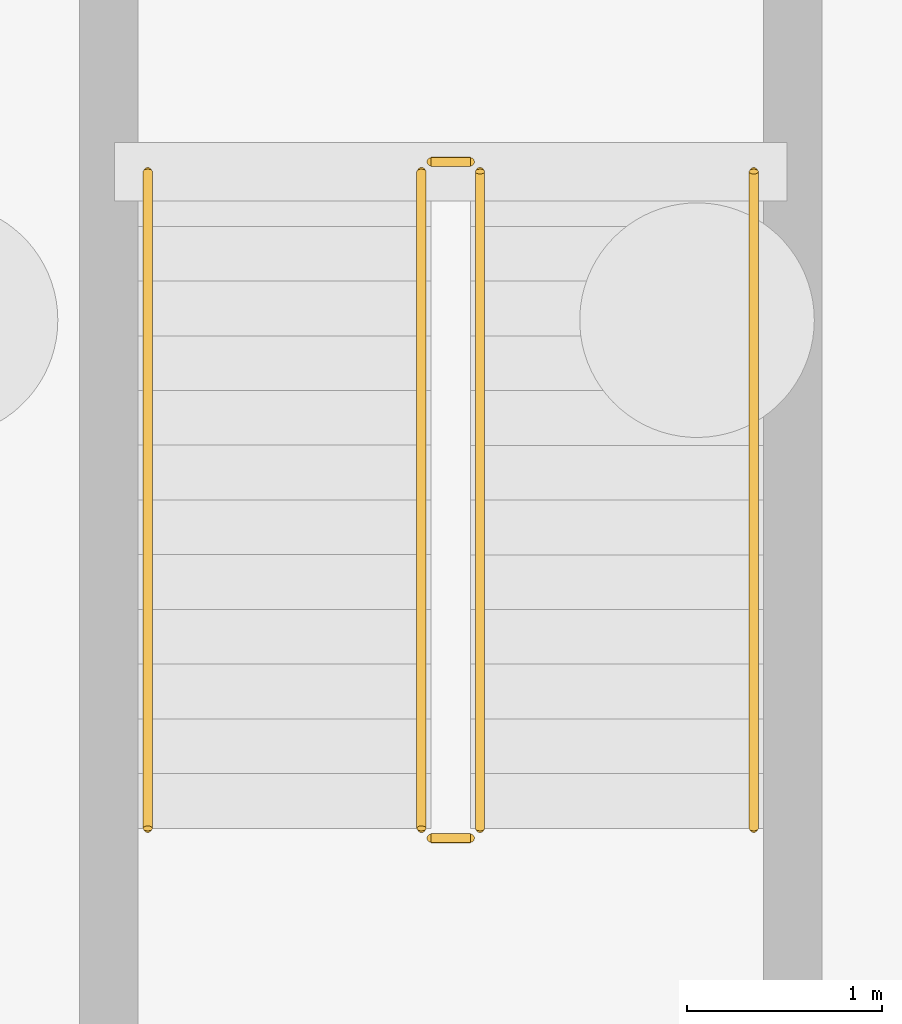
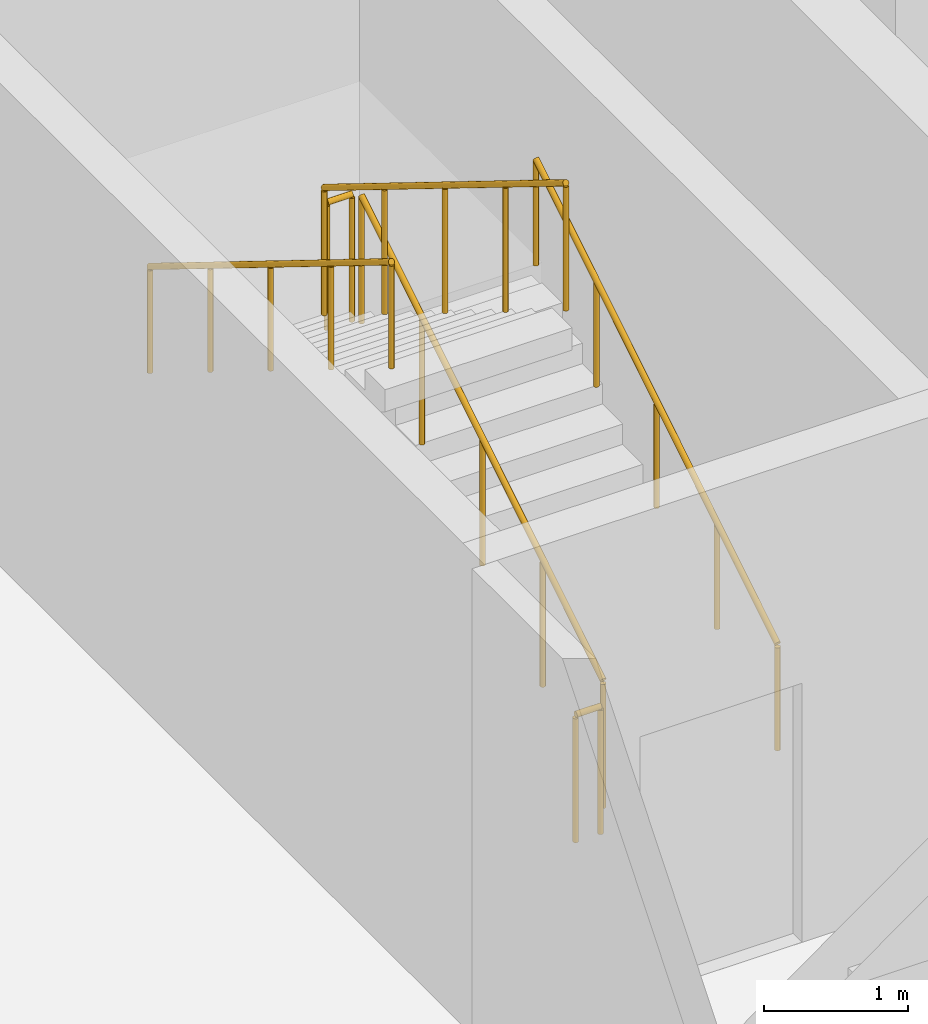
# One storey, part 38 of 40: 6 railings.
"""IFC4 building model written with IfcOpenShell, lengths in metres."""

from ifc_helpers import new_model, si_unit, direction, frame, origin, origin_2d, place, context, subcontext, project, spatial, circle, extrude, material, type_object, element, save


model = new_model("IFC4")

# Units and contexts
model_context = context("Model", 3, precision=1e-05, world=origin(), true_north=direction((0.0, 1.0)))
body_context = subcontext(model_context, "Body", "Model", "MODEL_VIEW")
ifc_project = project(units=[si_unit("LENGTHUNIT", "METRE"), si_unit("AREAUNIT", "SQUARE_METRE"), si_unit("VOLUMEUNIT", "CUBIC_METRE"), si_unit("PLANEANGLEUNIT", "RADIAN"), si_unit("MASSUNIT", "GRAM", prefix="KILO")], contexts=[model_context])

# Site, building, storey
site_placement = place(None, origin())
site = spatial("IfcSite", under=ifc_project, at=site_placement, CompositionType="ELEMENT")
building_placement = place(site_placement, origin())
building = spatial("IfcBuilding", under=site, at=building_placement, Name="Mzevani Central Library", CompositionType="ELEMENT")
storey_placement = place(building_placement, frame((0.0, 0.0, -4.5)))
storey = spatial("IfcBuildingStorey", under=building, at=storey_placement, Name="B1", CompositionType="ELEMENT", Elevation=-4.5)

# Railings
ifc_material = material(Name="Brushed stainless steel rail", Category="steel")
railing_type_1 = type_object("IfcRailingType", Name="Interior Gallery and Stair Guard 1100", PredefinedType="BALUSTRADE", material=ifc_material)
railing_1_placement = place(storey_placement, frame((88.64990234375, 106.699951171875, 0.173095703125)))
element("IfcRailing", 1, at=railing_1_placement, inside=storey, type_object=railing_type_1, Name="B1 ST-06 stair guard 1", PredefinedType="BALUSTRADE", context=body_context, shape_type="SweptSolid", body=[
    extrude(circle(Radius=0.02392578125, at=origin_2d()), frame((0.0, 0.0, 1.076171875), z_axis=(0.0, 0.850623216509, 0.525775754039), x_axis=(-1.0, 0.0, 0.0)), (0.0, 0.0, 1.0), 3.9501953125),
    extrude(circle(Radius=0.02099609375, at=origin_2d()), origin(), (0.0, 0.0, 1.0), 1.052001953125),
    extrude(circle(Radius=0.02099609375, at=origin_2d()), frame((0.0, 0.840087890625, 0.519287109375)), (0.0, 0.0, 1.0), 1.052001953125),
    extrude(circle(Radius=0.02099609375, at=origin_2d()), frame((0.0, 1.68017578125, 1.03857421875)), (0.0, 0.0, 1.0), 1.052001953125),
    extrude(circle(Radius=0.02099609375, at=origin_2d()), frame((0.0, 2.52001953125, 1.5576171875)), (0.0, 0.0, 1.0), 1.052001953125),
    extrude(circle(Radius=0.02099609375, at=origin_2d()), frame((0.0, 3.360107421875, 2.076904296875)), (0.0, 0.0, 1.0), 1.052001953125),
])
railing_2_placement = place(storey_placement, frame((88.60009765625, 110.110107421875, 2.25)))
element("IfcRailing", 2, at=railing_2_placement, inside=storey, type_object=railing_type_1, Name="B1 ST-06 stair guard 2", PredefinedType="BALUSTRADE", context=body_context, shape_type="SweptSolid", body=[
    extrude(circle(Radius=0.02392578125, at=origin_2d()), frame((0.0, 0.0, 1.076171875), z_axis=(-1.0, 0.0, 0.0), x_axis=(0.0, -1.0, 0.0)), (0.0, 0.0, 1.0), 0.2001953125),
    extrude(circle(Radius=0.02099609375, at=origin_2d()), origin(), (0.0, 0.0, 1.0), 1.052001953125),
    extrude(circle(Radius=0.02099609375, at=origin_2d()), frame((-0.2001953125, 0.0, 0.0)), (0.0, 0.0, 1.0), 1.052001953125),
])
railing_3_placement = place(storey_placement, frame((88.35009765625, 110.06005859375, 2.423095703125)))
element("IfcRailing", 3, at=railing_3_placement, inside=storey, type_object=railing_type_1, Name="B1 ST-06 stair guard 3", PredefinedType="BALUSTRADE", context=body_context, shape_type="SweptSolid", body=[
    extrude(circle(Radius=0.02392578125, at=origin_2d()), frame((0.0, 0.0, 1.076171875), z_axis=(0.0, -0.850623216509, 0.525775754039), x_axis=(1.0, 0.0, 0.0)), (0.0, 0.0, 1.0), 3.9501953125),
    extrude(circle(Radius=0.02099609375, at=origin_2d()), origin(), (0.0, 0.0, 1.0), 1.052001953125),
    extrude(circle(Radius=0.02099609375, at=origin_2d()), frame((0.0, -0.840087890625, 0.519287109375)), (0.0, 0.0, 1.0), 1.052001953125),
    extrude(circle(Radius=0.02099609375, at=origin_2d()), frame((0.0, -1.68017578125, 1.03857421875)), (0.0, 0.0, 1.0), 1.052001953125),
    extrude(circle(Radius=0.02099609375, at=origin_2d()), frame((0.0, -2.52001953125, 1.5576171875)), (0.0, 0.0, 1.0), 1.052001953125),
    extrude(circle(Radius=0.02099609375, at=origin_2d()), frame((0.0, -3.360107421875, 2.076904296875)), (0.0, 0.0, 1.0), 1.052001953125),
])
railing_4_placement = place(storey_placement, frame((88.60009765625, 106.64990234375, 0.0)))
element("IfcRailing", 4, at=railing_4_placement, inside=storey, type_object=railing_type_1, Name="B1 ST-06 stair guard 4", PredefinedType="BALUSTRADE", context=body_context, shape_type="SweptSolid", body=[
    extrude(circle(Radius=0.02392578125, at=origin_2d()), frame((0.0, 0.0, 1.076171875), z_axis=(-1.0, 0.0, 0.0), x_axis=(0.0, -1.0, 0.0)), (0.0, 0.0, 1.0), 0.2001953125),
    extrude(circle(Radius=0.02099609375, at=origin_2d()), origin(), (0.0, 0.0, 1.0), 1.052001953125),
    extrude(circle(Radius=0.02099609375, at=origin_2d()), frame((-0.2001953125, 0.0, 0.0)), (0.0, 0.0, 1.0), 1.052001953125),
])
railing_type_2 = type_object("IfcRailingType", Name="Stair Wall Handrail 920", PredefinedType="HANDRAIL", material=ifc_material)
railing_5_placement = place(storey_placement, frame((90.050048828125, 106.699951171875, 0.173095703125)))
element("IfcRailing", 5, at=railing_5_placement, inside=storey, type_object=railing_type_2, Name="B1 ST-06 stair handrail 1", PredefinedType="HANDRAIL", context=body_context, shape_type="SweptSolid", body=[
    extrude(circle(Radius=0.02392578125, at=origin_2d()), frame((0.0, 0.0, 0.89599609375), z_axis=(0.0, 0.850623216509, 0.525775754039), x_axis=(-1.0, 0.0, 0.0)), (0.0, 0.0, 1.0), 3.9501953125),
    extrude(circle(Radius=0.02099609375, at=origin_2d()), origin(), (0.0, 0.0, 1.0), 0.871826171875),
    extrude(circle(Radius=0.02099609375, at=origin_2d()), frame((0.0, 0.840087890625, 0.519287109375)), (0.0, 0.0, 1.0), 0.871826171875),
    extrude(circle(Radius=0.02099609375, at=origin_2d()), frame((0.0, 1.68017578125, 1.03857421875)), (0.0, 0.0, 1.0), 0.871826171875),
    extrude(circle(Radius=0.02099609375, at=origin_2d()), frame((0.0, 2.52001953125, 1.5576171875)), (0.0, 0.0, 1.0), 0.871826171875),
    extrude(circle(Radius=0.02099609375, at=origin_2d()), frame((0.0, 3.360107421875, 2.076904296875)), (0.0, 0.0, 1.0), 0.871826171875),
])
railing_6_placement = place(storey_placement, frame((86.949951171875, 110.06005859375, 2.423095703125)))
element("IfcRailing", 6, at=railing_6_placement, inside=storey, type_object=railing_type_2, Name="B1 ST-06 stair handrail 2", PredefinedType="HANDRAIL", context=body_context, shape_type="SweptSolid", body=[
    extrude(circle(Radius=0.02392578125, at=origin_2d()), frame((0.0, 0.0, 0.89599609375), z_axis=(0.0, -0.850623216509, 0.525775754039), x_axis=(1.0, 0.0, 0.0)), (0.0, 0.0, 1.0), 3.9501953125),
    extrude(circle(Radius=0.02099609375, at=origin_2d()), origin(), (0.0, 0.0, 1.0), 0.871826171875),
    extrude(circle(Radius=0.02099609375, at=origin_2d()), frame((0.0, -0.840087890625, 0.519287109375)), (0.0, 0.0, 1.0), 0.871826171875),
    extrude(circle(Radius=0.02099609375, at=origin_2d()), frame((0.0, -1.68017578125, 1.03857421875)), (0.0, 0.0, 1.0), 0.871826171875),
    extrude(circle(Radius=0.02099609375, at=origin_2d()), frame((0.0, -2.52001953125, 1.5576171875)), (0.0, 0.0, 1.0), 0.871826171875),
    extrude(circle(Radius=0.02099609375, at=origin_2d()), frame((0.0, -3.360107421875, 2.076904296875)), (0.0, 0.0, 1.0), 0.871826171875),
])

save(model, "model.ifc")
